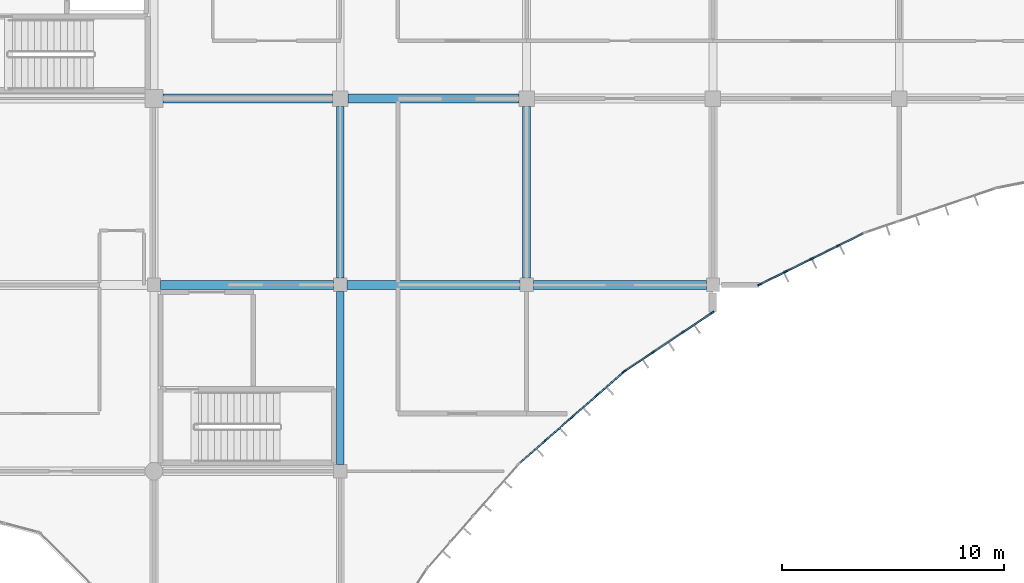
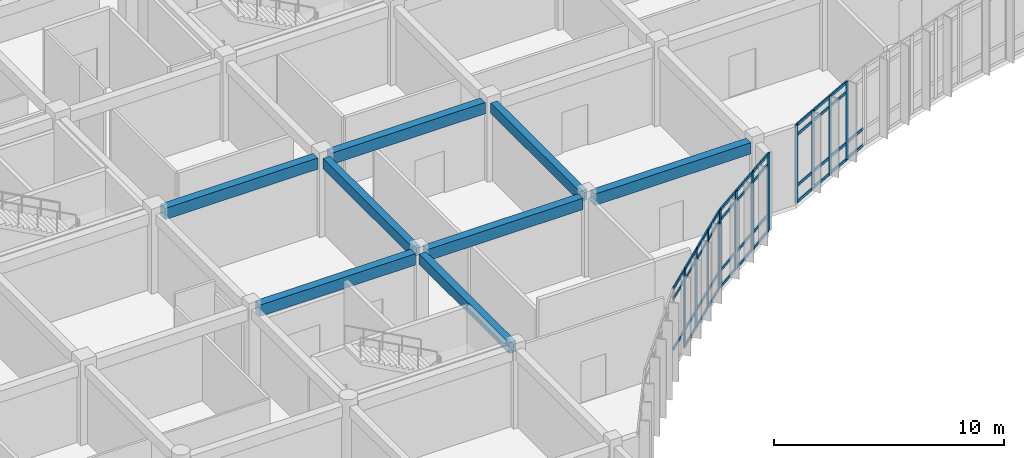
# One storey, part 64 of 144: 53 members, 8 beams, 3 elements without a shape of their own.
"""IFC4 building model written with IfcOpenShell, lengths in metres."""

from ifc_helpers import new_model, si_unit, direction, frame, origin, origin_2d, place, context, subcontext, project, spatial, rectangle, extrude, material, layer, layer_set, material_profile, profile_set, type_object, element, aggregate, save


model = new_model("IFC4")

# Units and contexts
model_context = context("Model", 3, precision=1e-05, world=origin(), true_north=direction((0.0, 1.0)))
body_context = subcontext(model_context, "Body", "Model", "MODEL_VIEW")
ifc_project = project(units=[si_unit("LENGTHUNIT", "METRE"), si_unit("AREAUNIT", "SQUARE_METRE"), si_unit("VOLUMEUNIT", "CUBIC_METRE"), si_unit("PLANEANGLEUNIT", "RADIAN"), si_unit("MASSUNIT", "GRAM", prefix="KILO")], contexts=[model_context])

# Site, building, storey
site_placement = place(None, origin())
site = spatial("IfcSite", under=ifc_project, at=site_placement, CompositionType="ELEMENT")
building_placement = place(site_placement, origin())
building = spatial("IfcBuilding", under=site, at=building_placement, Name="Bramfleet General Hospital", CompositionType="ELEMENT")
storey_placement = place(building_placement, frame((0.0, 0.0, 4.800048828125)))
storey = spatial("IfcBuildingStorey", under=building, at=storey_placement, Name="L01", CompositionType="ELEMENT", Elevation=4.800048828125)

# Beams
ifc_material_1 = material(Name="Concrete C35/45", Category="concrete")
ifc_material_profile_1 = material_profile(ifc_material_1, rectangle(XDim=0.35009765625, YDim=0.550048828125, at=origin_2d()), Name="RC BM 550x350")
ifc_profile_set_1 = profile_set([ifc_material_profile_1], Name="Concrete C35/45")
beam_type_1 = type_object("IfcBeamType", Name="BM-RC550", PredefinedType="BEAM", material=ifc_profile_set_1)
beam_1_placement = place(storey_placement, frame((134.39990234375, 75.89990234375, 3.875), z_axis=(0.0, 1.0, 0.0), x_axis=(-1.0, 0.0, 0.0)))
element("IfcBeam", 1, at=beam_1_placement, inside=storey, type_object=beam_type_1, Name="L01 Grid Beam Y 16-09", PredefinedType="BEAM", context=body_context, shape_type="SweptSolid", body=[
    extrude(rectangle(XDim=0.35009765625, YDim=0.550048828125, at=origin_2d()), origin(), (0.0, 0.0, 1.0), 7.800048828125),
])
for number, where, z_axis, x_axis, name in (
    (2, (134.39990234375, 84.300048828125, 3.875), (0.0, 1.0, 0.0), (-1.0, 0.0, 0.0), "L01 Grid Beam Y 16-10"),
    (3, (142.800048828125, 84.300048828125, 3.875), (0.0, 1.0, 0.0), (-1.0, 0.0, 0.0), "L01 Grid Beam Y 17-10"),
):
    element("IfcBeam", number, at=place(storey_placement, frame(where, z_axis=z_axis, x_axis=x_axis)), inside=storey, type_object=beam_type_1, Name=name, PredefinedType="BEAM", context=body_context, shape_type="SweptSolid", body=[
        extrude(rectangle(XDim=0.35009765625, YDim=0.550048828125, at=origin_2d()), origin(), (0.0, 0.0, 1.0), 7.75),
    ])
ifc_material_profile_2 = material_profile(ifc_material_1, rectangle(XDim=0.39990234375, YDim=0.60009765625, at=origin_2d()), Name="RC BM 600x400")
ifc_profile_set_2 = profile_set([ifc_material_profile_2], Name="Concrete C35/45")
beam_type_2 = type_object("IfcBeamType", Name="BM-RC600", PredefinedType="BEAM", material=ifc_profile_set_2)
beam_2_placement = place(storey_placement, frame((126.300048828125, 84.0, 3.849853515625), z_axis=(1.0, 0.0, 0.0), x_axis=(0.0, 1.0, 0.0)))
element("IfcBeam", 4, at=beam_2_placement, inside=storey, type_object=beam_type_2, Name="L01 Grid Beam X 15-10", PredefinedType="BEAM", context=body_context, shape_type="SweptSolid", body=[
    extrude(rectangle(XDim=0.39990234375, YDim=0.60009765625, at=origin_2d()), origin(), (0.0, 0.0, 1.0), 7.800048828125),
])
beam_3_placement = place(storey_placement, frame((126.39990234375, 92.39990234375, 3.849853515625), z_axis=(1.0, 0.0, 0.0), x_axis=(0.0, 1.0, 0.0)))
element("IfcBeam", 5, at=beam_3_placement, inside=storey, type_object=beam_type_2, Name="L01 Grid Beam X 15-11", PredefinedType="BEAM", context=body_context, shape_type="SweptSolid", body=[
    extrude(rectangle(XDim=0.39990234375, YDim=0.60009765625, at=origin_2d()), origin(), (0.0, 0.0, 1.0), 7.650146484375),
])
beam_4_placement = place(storey_placement, frame((134.699951171875, 84.0, 3.849853515625), z_axis=(1.0, 0.0, 0.0), x_axis=(0.0, 1.0, 0.0)))
element("IfcBeam", 6, at=beam_4_placement, inside=storey, type_object=beam_type_2, Name="L01 Grid Beam X 16-10", PredefinedType="BEAM", context=body_context, shape_type="SweptSolid", body=[
    extrude(rectangle(XDim=0.39990234375, YDim=0.60009765625, at=origin_2d()), origin(), (0.0, 0.0, 1.0), 7.800048828125),
])
beam_5_placement = place(storey_placement, frame((134.75, 92.39990234375, 3.849853515625), z_axis=(1.0, 0.0, 0.0), x_axis=(0.0, 1.0, 0.0)))
element("IfcBeam", 7, at=beam_5_placement, inside=storey, type_object=beam_type_2, Name="L01 Grid Beam X 16-11", PredefinedType="BEAM", context=body_context, shape_type="SweptSolid", body=[
    extrude(rectangle(XDim=0.39990234375, YDim=0.60009765625, at=origin_2d()), origin(), (0.0, 0.0, 1.0), 7.699951171875),
])
beam_6_placement = place(storey_placement, frame((143.10009765625, 84.0, 3.849853515625), z_axis=(1.0, 0.0, 0.0), x_axis=(0.0, 1.0, 0.0)))
element("IfcBeam", 8, at=beam_6_placement, inside=storey, type_object=beam_type_2, Name="L01 Grid Beam X 17-10", PredefinedType="BEAM", context=body_context, shape_type="SweptSolid", body=[
    extrude(rectangle(XDim=0.39990234375, YDim=0.60009765625, at=origin_2d()), origin(), (0.0, 0.0, 1.0), 7.7998046875),
])

# Curtain wall, members
ifc_material_2 = material(Name="Anodised aluminium and low-E triple glazing", Category="aluminium")
ifc_layer_1 = layer(ifc_material_2, 0.179931640625, Name="CWT-CW-18")
ifc_layer_set_1 = layer_set([ifc_layer_1], Name="Anodised aluminium and low-E triple glazing")
curtain_wall_type_1 = type_object("IfcCurtainWallType", Name="CWT-CW-18", PredefinedType="USERDEFINED", material=ifc_layer_set_1)
curtain_wall_1_placement = place(storey_placement, origin())
curtain_wall_1 = element("IfcCurtainWall", 9, at=curtain_wall_1_placement, inside=storey, type_object=curtain_wall_type_1, Name="L01 Curtain Wall 54", ObjectType="Stick curtain wall", PredefinedType="USERDEFINED")
ifc_material_3 = material(Name="Structural timber GL28h", Category="wood")
ifc_material_profile_3 = material_profile(ifc_material_3, rectangle(XDim=0.070068359375, YDim=0.18994140625, at=origin_2d()), Name="LARCH 190x70")
ifc_profile_set_3 = profile_set([ifc_material_profile_3], Name="Structural timber GL28h")
member_type_1 = type_object("IfcMemberType", Name="CWM-LARCH450", PredefinedType="MULLION", material=ifc_profile_set_3)
member_1_placement = place(storey_placement, frame((156.841796875, 85.759521484375, 0.0), z_axis=(0.0, 0.0, 1.0), x_axis=(0.442304948782, -0.896864723513, 0.0)))
member_1 = element("IfcMember", 10, at=member_1_placement, type_object=member_type_1, Name="CW-18 mullion 2", PredefinedType="MULLION", context=body_context, shape_type="SweptSolid", body=[
    extrude(rectangle(XDim=0.070068359375, YDim=0.18994140625, at=origin_2d()), origin(), (0.0, 0.0, 1.0), 4.139892578125),
])
member_2_placement = place(storey_placement, frame((155.652587890625, 85.173095703125, 0.0), z_axis=(0.0, 0.0, 1.0), x_axis=(0.442304948782, -0.896864723513, 0.0)))
member_2 = element("IfcMember", 11, at=member_2_placement, type_object=member_type_1, Name="CW-18 mullion 3", PredefinedType="MULLION", context=body_context, shape_type="SweptSolid", body=[
    extrude(rectangle(XDim=0.070068359375, YDim=0.18994140625, at=origin_2d()), origin(), (0.0, 0.0, 1.0), 4.139892578125),
])
member_3_placement = place(storey_placement, frame((154.463134765625, 84.58642578125, 0.0), z_axis=(0.0, 0.0, 1.0), x_axis=(0.442304948782, -0.896864723513, 0.0)))
member_3 = element("IfcMember", 12, at=member_3_placement, type_object=member_type_1, Name="CW-18 mullion 4", PredefinedType="MULLION", context=body_context, shape_type="SweptSolid", body=[
    extrude(rectangle(XDim=0.070068359375, YDim=0.18994140625, at=origin_2d()), origin(), (0.0, 0.0, 1.0), 4.139892578125),
])
member_4_placement = place(storey_placement, frame((153.305419921875, 84.015380859375, 0.0), z_axis=(0.0, 0.0, 1.0), x_axis=(0.442304948782, -0.896864723513, 0.0)))
member_4 = element("IfcMember", 13, at=member_4_placement, type_object=member_type_1, Name="CW-18 mullion 5", PredefinedType="MULLION", context=body_context, shape_type="SweptSolid", body=[
    extrude(rectangle(XDim=0.070068359375, YDim=0.18994140625, at=origin_2d()), origin(), (0.0, 0.0, 1.0), 4.139892578125),
])

ifc_layer_2 = layer(ifc_material_2, 0.179931640625, Name="CWT-CW-01")
ifc_layer_set_2 = layer_set([ifc_layer_2], Name="Anodised aluminium and low-E triple glazing")
curtain_wall_type_2 = type_object("IfcCurtainWallType", Name="CWT-CW-01", PredefinedType="USERDEFINED", material=ifc_layer_set_2)
curtain_wall_2_placement = place(storey_placement, origin())
curtain_wall_2 = element("IfcCurtainWall", 14, at=curtain_wall_2_placement, inside=storey, type_object=curtain_wall_type_2, Name="L01 Curtain Wall 55", ObjectType="Unitised curtain wall", PredefinedType="USERDEFINED")
member_5_placement = place(storey_placement, frame((151.1708984375, 82.74755859375, 0.0), z_axis=(0.0, 0.0, 1.0), x_axis=(0.555463530135, -0.831540898988, 0.0)))
member_5 = element("IfcMember", 15, at=member_5_placement, type_object=member_type_1, Name="CW-01 mullion 1", PredefinedType="MULLION", context=body_context, shape_type="SweptSolid", body=[
    extrude(rectangle(XDim=0.070068359375, YDim=0.18994140625, at=origin_2d()), origin(), (0.0, 0.0, 1.0), 4.139892578125),
])
member_6_placement = place(storey_placement, frame((149.859619140625, 81.87158203125, 0.0), z_axis=(0.0, 0.0, 1.0), x_axis=(0.555463530135, -0.831540898988, 0.0)))
member_6 = element("IfcMember", 16, at=member_6_placement, type_object=member_type_1, Name="CW-01 mullion 2", PredefinedType="MULLION", context=body_context, shape_type="SweptSolid", body=[
    extrude(rectangle(XDim=0.070068359375, YDim=0.18994140625, at=origin_2d()), origin(), (0.0, 0.0, 1.0), 4.139892578125),
])
member_7_placement = place(storey_placement, frame((148.519287109375, 80.976318359375, 0.0), z_axis=(0.0, 0.0, 1.0), x_axis=(0.555463530135, -0.831540898988, 0.0)))
member_7 = element("IfcMember", 17, at=member_7_placement, type_object=member_type_1, Name="CW-01 mullion 3", PredefinedType="MULLION", context=body_context, shape_type="SweptSolid", body=[
    extrude(rectangle(XDim=0.070068359375, YDim=0.18994140625, at=origin_2d()), origin(), (0.0, 0.0, 1.0), 4.139892578125),
])
member_8_placement = place(storey_placement, frame((147.2080078125, 80.100341796875, 0.0), z_axis=(0.0, 0.0, 1.0), x_axis=(0.555463530135, -0.831540898988, 0.0)))
member_8 = element("IfcMember", 18, at=member_8_placement, type_object=member_type_1, Name="CW-01 mullion 4", PredefinedType="MULLION", context=body_context, shape_type="SweptSolid", body=[
    extrude(rectangle(XDim=0.070068359375, YDim=0.18994140625, at=origin_2d()), origin(), (0.0, 0.0, 1.0), 4.139892578125),
])

ifc_layer_3 = layer(ifc_material_2, 0.179931640625, Name="CWT-CW-02")
ifc_layer_set_3 = layer_set([ifc_layer_3], Name="Anodised aluminium and low-E triple glazing")
curtain_wall_type_3 = type_object("IfcCurtainWallType", Name="CWT-CW-02", PredefinedType="USERDEFINED", material=ifc_layer_set_3)
curtain_wall_3_placement = place(storey_placement, origin())
curtain_wall_3 = element("IfcCurtainWall", 19, at=curtain_wall_3_placement, inside=storey, type_object=curtain_wall_type_3, Name="L01 Curtain Wall 56", ObjectType="Unitised curtain wall", PredefinedType="USERDEFINED")
member_9_placement = place(storey_placement, frame((147.152587890625, 80.057861328125, 0.0), z_axis=(0.0, 0.0, 1.0), x_axis=(0.659406233864, -0.75178681735, 0.0)))
member_9 = element("IfcMember", 20, at=member_9_placement, type_object=member_type_1, Name="CW-02 mullion 1", PredefinedType="MULLION", context=body_context, shape_type="SweptSolid", body=[
    extrude(rectangle(XDim=0.070068359375, YDim=0.18994140625, at=origin_2d()), origin(), (0.0, 0.0, 1.0), 4.139892578125),
])
member_10_placement = place(storey_placement, frame((145.9990234375, 79.0458984375, 0.0), z_axis=(0.0, 0.0, 1.0), x_axis=(0.659406233864, -0.75178681735, 0.0)))
member_10 = element("IfcMember", 21, at=member_10_placement, type_object=member_type_1, Name="CW-02 mullion 2", PredefinedType="MULLION", context=body_context, shape_type="SweptSolid", body=[
    extrude(rectangle(XDim=0.070068359375, YDim=0.18994140625, at=origin_2d()), origin(), (0.0, 0.0, 1.0), 4.139892578125),
])
member_11_placement = place(storey_placement, frame((144.819091796875, 78.010986328125, 0.0), z_axis=(0.0, 0.0, 1.0), x_axis=(0.659406233864, -0.75178681735, 0.0)))
member_11 = element("IfcMember", 22, at=member_11_placement, type_object=member_type_1, Name="CW-02 mullion 3", PredefinedType="MULLION", context=body_context, shape_type="SweptSolid", body=[
    extrude(rectangle(XDim=0.070068359375, YDim=0.18994140625, at=origin_2d()), origin(), (0.0, 0.0, 1.0), 4.139892578125),
])
member_12_placement = place(storey_placement, frame((143.638916015625, 76.97607421875, 0.0), z_axis=(0.0, 0.0, 1.0), x_axis=(0.659406233864, -0.75178681735, 0.0)))
member_12 = element("IfcMember", 23, at=member_12_placement, type_object=member_type_1, Name="CW-02 mullion 4", PredefinedType="MULLION", context=body_context, shape_type="SweptSolid", body=[
    extrude(rectangle(XDim=0.070068359375, YDim=0.18994140625, at=origin_2d()), origin(), (0.0, 0.0, 1.0), 4.139892578125),
])

# Member
ifc_material_profile_4 = material_profile(ifc_material_3, rectangle(XDim=0.06494140625, YDim=0.14990234375, at=origin_2d()), Name="LARCH 150x65")
ifc_profile_set_4 = profile_set([ifc_material_profile_4], Name="Structural timber GL28h")
member_type_2 = type_object("IfcMemberType", Name="CWT-LARCH220", PredefinedType="USERDEFINED", material=ifc_profile_set_4)
member_13_placement = place(storey_placement, frame((157.96826171875, 86.31494140625, 0.032470703125), z_axis=(-0.896892597897, -0.442248423216, 0.0), x_axis=(0.442248423216, -0.896892597897, 0.0)))
member_13 = element("IfcMember", 24, at=member_13_placement, type_object=member_type_2, Name="CW-18 transom 1.1", ObjectType="TRANSOM", PredefinedType="USERDEFINED", context=body_context, shape_type="SweptSolid", body=[
    extrude(rectangle(XDim=0.06494140625, YDim=0.14990234375, at=origin_2d()), origin(), (0.0, 0.0, 1.0), 1.22119140625),
])

member_14_placement = place(storey_placement, frame((157.96826171875, 86.31494140625, 0.89990234375), z_axis=(-0.896892597897, -0.442248423216, 0.0), x_axis=(0.442248423216, -0.896892597897, 0.0)))
member_14 = element("IfcMember", 25, at=member_14_placement, type_object=member_type_2, Name="CW-18 transom 1.2", ObjectType="TRANSOM", PredefinedType="USERDEFINED", context=body_context, shape_type="SweptSolid", body=[
    extrude(rectangle(XDim=0.06494140625, YDim=0.14990234375, at=origin_2d()), origin(), (0.0, 0.0, 1.0), 1.22119140625),
])

member_15_placement = place(storey_placement, frame((156.810302734375, 85.744140625, 0.032470703125), z_axis=(-0.896824392797, -0.44238671825, 0.0), x_axis=(0.44238671825, -0.896824392797, 0.0)))
member_15 = element("IfcMember", 26, at=member_15_placement, type_object=member_type_2, Name="CW-18 transom 2.1", ObjectType="TRANSOM", PredefinedType="USERDEFINED", context=body_context, shape_type="SweptSolid", body=[
    extrude(rectangle(XDim=0.06494140625, YDim=0.14990234375, at=origin_2d()), origin(), (0.0, 0.0, 1.0), 1.256103515625),
])

member_16_placement = place(storey_placement, frame((156.810302734375, 85.744140625, 0.89990234375), z_axis=(-0.896824392797, -0.44238671825, 0.0), x_axis=(0.44238671825, -0.896824392797, 0.0)))
member_16 = element("IfcMember", 27, at=member_16_placement, type_object=member_type_2, Name="CW-18 transom 2.2", ObjectType="TRANSOM", PredefinedType="USERDEFINED", context=body_context, shape_type="SweptSolid", body=[
    extrude(rectangle(XDim=0.06494140625, YDim=0.14990234375, at=origin_2d()), origin(), (0.0, 0.0, 1.0), 1.256103515625),
])

member_17_placement = place(storey_placement, frame((156.810302734375, 85.744140625, 3.58984375), z_axis=(-0.896824392797, -0.44238671825, 0.0), x_axis=(0.44238671825, -0.896824392797, 0.0)))
member_17 = element("IfcMember", 28, at=member_17_placement, type_object=member_type_2, Name="CW-18 transom 2.3", ObjectType="TRANSOM", PredefinedType="USERDEFINED", context=body_context, shape_type="SweptSolid", body=[
    extrude(rectangle(XDim=0.06494140625, YDim=0.14990234375, at=origin_2d()), origin(), (0.0, 0.0, 1.0), 1.256103515625),
])

member_18_placement = place(storey_placement, frame((156.810302734375, 85.744140625, 4.107421875), z_axis=(-0.896824392797, -0.44238671825, 0.0), x_axis=(0.44238671825, -0.896824392797, 0.0)))
member_18 = element("IfcMember", 29, at=member_18_placement, type_object=member_type_2, Name="CW-18 transom 2.4", ObjectType="TRANSOM", PredefinedType="USERDEFINED", context=body_context, shape_type="SweptSolid", body=[
    extrude(rectangle(XDim=0.06494140625, YDim=0.14990234375, at=origin_2d()), origin(), (0.0, 0.0, 1.0), 1.256103515625),
])

member_19_placement = place(storey_placement, frame((155.62109375, 85.157470703125, 0.032470703125), z_axis=(-0.89690150088, -0.442230367252, 0.0), x_axis=(0.442230367252, -0.89690150088, 0.0)))
member_19 = element("IfcMember", 30, at=member_19_placement, type_object=member_type_2, Name="CW-18 transom 3.1", ObjectType="TRANSOM", PredefinedType="USERDEFINED", context=body_context, shape_type="SweptSolid", body=[
    extrude(rectangle(XDim=0.06494140625, YDim=0.14990234375, at=origin_2d()), origin(), (0.0, 0.0, 1.0), 1.255859375),
])

member_20_placement = place(storey_placement, frame((155.62109375, 85.157470703125, 0.89990234375), z_axis=(-0.89690150088, -0.442230367252, 0.0), x_axis=(0.442230367252, -0.89690150088, 0.0)))
member_20 = element("IfcMember", 31, at=member_20_placement, type_object=member_type_2, Name="CW-18 transom 3.2", ObjectType="TRANSOM", PredefinedType="USERDEFINED", context=body_context, shape_type="SweptSolid", body=[
    extrude(rectangle(XDim=0.06494140625, YDim=0.14990234375, at=origin_2d()), origin(), (0.0, 0.0, 1.0), 1.255859375),
])

member_21_placement = place(storey_placement, frame((155.62109375, 85.157470703125, 3.58984375), z_axis=(-0.89690150088, -0.442230367252, 0.0), x_axis=(0.442230367252, -0.89690150088, 0.0)))
member_21 = element("IfcMember", 32, at=member_21_placement, type_object=member_type_2, Name="CW-18 transom 3.3", ObjectType="TRANSOM", PredefinedType="USERDEFINED", context=body_context, shape_type="SweptSolid", body=[
    extrude(rectangle(XDim=0.06494140625, YDim=0.14990234375, at=origin_2d()), origin(), (0.0, 0.0, 1.0), 1.255859375),
])

member_22_placement = place(storey_placement, frame((155.62109375, 85.157470703125, 4.107421875), z_axis=(-0.89690150088, -0.442230367252, 0.0), x_axis=(0.442230367252, -0.89690150088, 0.0)))
member_22 = element("IfcMember", 33, at=member_22_placement, type_object=member_type_2, Name="CW-18 transom 3.4", ObjectType="TRANSOM", PredefinedType="USERDEFINED", context=body_context, shape_type="SweptSolid", body=[
    extrude(rectangle(XDim=0.06494140625, YDim=0.14990234375, at=origin_2d()), origin(), (0.0, 0.0, 1.0), 1.255859375),
])

member_23_placement = place(storey_placement, frame((154.431884765625, 84.571044921875, 0.032470703125), z_axis=(-0.896892597897, -0.442248423216, 0.0), x_axis=(0.442248423216, -0.896892597897, 0.0)))
member_23 = element("IfcMember", 34, at=member_23_placement, type_object=member_type_2, Name="CW-18 transom 4.1", ObjectType="TRANSOM", PredefinedType="USERDEFINED", context=body_context, shape_type="SweptSolid", body=[
    extrude(rectangle(XDim=0.06494140625, YDim=0.14990234375, at=origin_2d()), origin(), (0.0, 0.0, 1.0), 1.22119140625),
])

member_24_placement = place(storey_placement, frame((154.431884765625, 84.571044921875, 0.89990234375), z_axis=(-0.896892597897, -0.442248423216, 0.0), x_axis=(0.442248423216, -0.896892597897, 0.0)))
member_24 = element("IfcMember", 35, at=member_24_placement, type_object=member_type_2, Name="CW-18 transom 4.2", ObjectType="TRANSOM", PredefinedType="USERDEFINED", context=body_context, shape_type="SweptSolid", body=[
    extrude(rectangle(XDim=0.06494140625, YDim=0.14990234375, at=origin_2d()), origin(), (0.0, 0.0, 1.0), 1.22119140625),
])

member_25_placement = place(storey_placement, frame((154.431884765625, 84.571044921875, 3.58984375), z_axis=(-0.896892597897, -0.442248423216, 0.0), x_axis=(0.442248423216, -0.896892597897, 0.0)))
member_25 = element("IfcMember", 36, at=member_25_placement, type_object=member_type_2, Name="CW-18 transom 4.3", ObjectType="TRANSOM", PredefinedType="USERDEFINED", context=body_context, shape_type="SweptSolid", body=[
    extrude(rectangle(XDim=0.06494140625, YDim=0.14990234375, at=origin_2d()), origin(), (0.0, 0.0, 1.0), 1.22119140625),
])

member_26_placement = place(storey_placement, frame((154.431884765625, 84.571044921875, 4.107421875), z_axis=(-0.896892597897, -0.442248423216, 0.0), x_axis=(0.442248423216, -0.896892597897, 0.0)))
member_26 = element("IfcMember", 37, at=member_26_placement, type_object=member_type_2, Name="CW-18 transom 4.4", ObjectType="TRANSOM", PredefinedType="USERDEFINED", context=body_context, shape_type="SweptSolid", body=[
    extrude(rectangle(XDim=0.06494140625, YDim=0.14990234375, at=origin_2d()), origin(), (0.0, 0.0, 1.0), 1.22119140625),
])

aggregate(curtain_wall_1, [member_1, member_2, member_3, member_4, member_13, member_14, member_15, member_16, member_17, member_18, member_19, member_20, member_21, member_22, member_23, member_24, member_25, member_26])

member_27_placement = place(storey_placement, frame((151.141845703125, 82.72802734375, 0.032470703125), z_axis=(-0.831601376927, -0.555372982682, 0.0), x_axis=(0.555372982682, -0.831601376927, 0.0)))
member_27 = element("IfcMember", 38, at=member_27_placement, type_object=member_type_2, Name="CW-01 transom 1.1", ObjectType="TRANSOM", PredefinedType="USERDEFINED", context=body_context, shape_type="SweptSolid", body=[
    extrude(rectangle(XDim=0.06494140625, YDim=0.14990234375, at=origin_2d()), origin(), (0.0, 0.0, 1.0), 1.5068359375),
])

member_28_placement = place(storey_placement, frame((151.141845703125, 82.72802734375, 0.89990234375), z_axis=(-0.831601376927, -0.555372982682, 0.0), x_axis=(0.555372982682, -0.831601376927, 0.0)))
member_28 = element("IfcMember", 39, at=member_28_placement, type_object=member_type_2, Name="CW-01 transom 1.2", ObjectType="TRANSOM", PredefinedType="USERDEFINED", context=body_context, shape_type="SweptSolid", body=[
    extrude(rectangle(XDim=0.06494140625, YDim=0.14990234375, at=origin_2d()), origin(), (0.0, 0.0, 1.0), 1.5068359375),
])

member_29_placement = place(storey_placement, frame((151.141845703125, 82.72802734375, 3.58984375), z_axis=(-0.831601376927, -0.555372982682, 0.0), x_axis=(0.555372982682, -0.831601376927, 0.0)))
member_29 = element("IfcMember", 40, at=member_29_placement, type_object=member_type_2, Name="CW-01 transom 1.3", ObjectType="TRANSOM", PredefinedType="USERDEFINED", context=body_context, shape_type="SweptSolid", body=[
    extrude(rectangle(XDim=0.06494140625, YDim=0.14990234375, at=origin_2d()), origin(), (0.0, 0.0, 1.0), 1.5068359375),
])

member_30_placement = place(storey_placement, frame((151.141845703125, 82.72802734375, 4.107421875), z_axis=(-0.831601376927, -0.555372982682, 0.0), x_axis=(0.555372982682, -0.831601376927, 0.0)))
member_30 = element("IfcMember", 41, at=member_30_placement, type_object=member_type_2, Name="CW-01 transom 1.4", ObjectType="TRANSOM", PredefinedType="USERDEFINED", context=body_context, shape_type="SweptSolid", body=[
    extrude(rectangle(XDim=0.06494140625, YDim=0.14990234375, at=origin_2d()), origin(), (0.0, 0.0, 1.0), 1.5068359375),
])

member_31_placement = place(storey_placement, frame((149.83056640625, 81.852294921875, 0.032470703125), z_axis=(-0.831562796213, -0.555430748118, 0.0), x_axis=(0.555430748118, -0.831562796213, 0.0)))
member_31 = element("IfcMember", 42, at=member_31_placement, type_object=member_type_2, Name="CW-01 transom 2.1", ObjectType="TRANSOM", PredefinedType="USERDEFINED", context=body_context, shape_type="SweptSolid", body=[
    extrude(rectangle(XDim=0.06494140625, YDim=0.14990234375, at=origin_2d()), origin(), (0.0, 0.0, 1.0), 1.5419921875),
])

member_32_placement = place(storey_placement, frame((149.83056640625, 81.852294921875, 0.89990234375), z_axis=(-0.831562796213, -0.555430748118, 0.0), x_axis=(0.555430748118, -0.831562796213, 0.0)))
member_32 = element("IfcMember", 43, at=member_32_placement, type_object=member_type_2, Name="CW-01 transom 2.2", ObjectType="TRANSOM", PredefinedType="USERDEFINED", context=body_context, shape_type="SweptSolid", body=[
    extrude(rectangle(XDim=0.06494140625, YDim=0.14990234375, at=origin_2d()), origin(), (0.0, 0.0, 1.0), 1.5419921875),
])

member_33_placement = place(storey_placement, frame((149.83056640625, 81.852294921875, 3.58984375), z_axis=(-0.831562796213, -0.555430748118, 0.0), x_axis=(0.555430748118, -0.831562796213, 0.0)))
member_33 = element("IfcMember", 44, at=member_33_placement, type_object=member_type_2, Name="CW-01 transom 2.3", ObjectType="TRANSOM", PredefinedType="USERDEFINED", context=body_context, shape_type="SweptSolid", body=[
    extrude(rectangle(XDim=0.06494140625, YDim=0.14990234375, at=origin_2d()), origin(), (0.0, 0.0, 1.0), 1.5419921875),
])

member_34_placement = place(storey_placement, frame((149.83056640625, 81.852294921875, 4.107421875), z_axis=(-0.831562796213, -0.555430748118, 0.0), x_axis=(0.555430748118, -0.831562796213, 0.0)))
member_34 = element("IfcMember", 45, at=member_34_placement, type_object=member_type_2, Name="CW-01 transom 2.4", ObjectType="TRANSOM", PredefinedType="USERDEFINED", context=body_context, shape_type="SweptSolid", body=[
    extrude(rectangle(XDim=0.06494140625, YDim=0.14990234375, at=origin_2d()), origin(), (0.0, 0.0, 1.0), 1.5419921875),
])

member_35_placement = place(storey_placement, frame((148.490234375, 80.956787109375, 0.032470703125), z_axis=(-0.831551396357, -0.555447815026, 0.0), x_axis=(0.555447815026, -0.831551396357, 0.0)))
member_35 = element("IfcMember", 46, at=member_35_placement, type_object=member_type_2, Name="CW-01 transom 3.1", ObjectType="TRANSOM", PredefinedType="USERDEFINED", context=body_context, shape_type="SweptSolid", body=[
    extrude(rectangle(XDim=0.06494140625, YDim=0.14990234375, at=origin_2d()), origin(), (0.0, 0.0, 1.0), 1.5068359375),
])

member_36_placement = place(storey_placement, frame((148.490234375, 80.956787109375, 0.89990234375), z_axis=(-0.831551396357, -0.555447815026, 0.0), x_axis=(0.555447815026, -0.831551396357, 0.0)))
member_36 = element("IfcMember", 47, at=member_36_placement, type_object=member_type_2, Name="CW-01 transom 3.2", ObjectType="TRANSOM", PredefinedType="USERDEFINED", context=body_context, shape_type="SweptSolid", body=[
    extrude(rectangle(XDim=0.06494140625, YDim=0.14990234375, at=origin_2d()), origin(), (0.0, 0.0, 1.0), 1.5068359375),
])

member_37_placement = place(storey_placement, frame((148.490234375, 80.956787109375, 3.58984375), z_axis=(-0.831551396357, -0.555447815026, 0.0), x_axis=(0.555447815026, -0.831551396357, 0.0)))
member_37 = element("IfcMember", 48, at=member_37_placement, type_object=member_type_2, Name="CW-01 transom 3.3", ObjectType="TRANSOM", PredefinedType="USERDEFINED", context=body_context, shape_type="SweptSolid", body=[
    extrude(rectangle(XDim=0.06494140625, YDim=0.14990234375, at=origin_2d()), origin(), (0.0, 0.0, 1.0), 1.5068359375),
])

member_38_placement = place(storey_placement, frame((148.490234375, 80.956787109375, 4.107421875), z_axis=(-0.831551396357, -0.555447815026, 0.0), x_axis=(0.555447815026, -0.831551396357, 0.0)))
member_38 = element("IfcMember", 49, at=member_38_placement, type_object=member_type_2, Name="CW-01 transom 3.4", ObjectType="TRANSOM", PredefinedType="USERDEFINED", context=body_context, shape_type="SweptSolid", body=[
    extrude(rectangle(XDim=0.06494140625, YDim=0.14990234375, at=origin_2d()), origin(), (0.0, 0.0, 1.0), 1.5068359375),
])

aggregate(curtain_wall_2, [member_5, member_6, member_7, member_8, member_27, member_28, member_29, member_30, member_31, member_32, member_33, member_34, member_35, member_36, member_37, member_38])

member_39_placement = place(storey_placement, frame((147.12646484375, 80.034912109375, 0.032470703125), z_axis=(-0.75177071058, -0.659424596686, 0.0), x_axis=(0.659424596686, -0.75177071058, 0.0)))
member_39 = element("IfcMember", 50, at=member_39_placement, type_object=member_type_2, Name="CW-02 transom 1.1", ObjectType="TRANSOM", PredefinedType="USERDEFINED", context=body_context, shape_type="SweptSolid", body=[
    extrude(rectangle(XDim=0.06494140625, YDim=0.14990234375, at=origin_2d()), origin(), (0.0, 0.0, 1.0), 1.464599609375),
])

member_40_placement = place(storey_placement, frame((147.12646484375, 80.034912109375, 0.89990234375), z_axis=(-0.75177071058, -0.659424596686, 0.0), x_axis=(0.659424596686, -0.75177071058, 0.0)))
member_40 = element("IfcMember", 51, at=member_40_placement, type_object=member_type_2, Name="CW-02 transom 1.2", ObjectType="TRANSOM", PredefinedType="USERDEFINED", context=body_context, shape_type="SweptSolid", body=[
    extrude(rectangle(XDim=0.06494140625, YDim=0.14990234375, at=origin_2d()), origin(), (0.0, 0.0, 1.0), 1.464599609375),
])

member_41_placement = place(storey_placement, frame((147.12646484375, 80.034912109375, 3.58984375), z_axis=(-0.75177071058, -0.659424596686, 0.0), x_axis=(0.659424596686, -0.75177071058, 0.0)))
member_41 = element("IfcMember", 52, at=member_41_placement, type_object=member_type_2, Name="CW-02 transom 1.3", ObjectType="TRANSOM", PredefinedType="USERDEFINED", context=body_context, shape_type="SweptSolid", body=[
    extrude(rectangle(XDim=0.06494140625, YDim=0.14990234375, at=origin_2d()), origin(), (0.0, 0.0, 1.0), 1.464599609375),
])

member_42_placement = place(storey_placement, frame((147.12646484375, 80.034912109375, 4.107421875), z_axis=(-0.75177071058, -0.659424596686, 0.0), x_axis=(0.659424596686, -0.75177071058, 0.0)))
member_42 = element("IfcMember", 53, at=member_42_placement, type_object=member_type_2, Name="CW-02 transom 1.4", ObjectType="TRANSOM", PredefinedType="USERDEFINED", context=body_context, shape_type="SweptSolid", body=[
    extrude(rectangle(XDim=0.06494140625, YDim=0.14990234375, at=origin_2d()), origin(), (0.0, 0.0, 1.0), 1.464599609375),
])

member_43_placement = place(storey_placement, frame((145.97265625, 79.02294921875, 0.032470703125), z_axis=(-0.751829905296, -0.659357106204, 0.0), x_axis=(0.659357106204, -0.751829905296, 0.0)))
member_43 = element("IfcMember", 54, at=member_43_placement, type_object=member_type_2, Name="CW-02 transom 2.1", ObjectType="TRANSOM", PredefinedType="USERDEFINED", context=body_context, shape_type="SweptSolid", body=[
    extrude(rectangle(XDim=0.06494140625, YDim=0.14990234375, at=origin_2d()), origin(), (0.0, 0.0, 1.0), 1.49951171875),
])

member_44_placement = place(storey_placement, frame((145.97265625, 79.02294921875, 0.89990234375), z_axis=(-0.751829905296, -0.659357106204, 0.0), x_axis=(0.659357106204, -0.751829905296, 0.0)))
member_44 = element("IfcMember", 55, at=member_44_placement, type_object=member_type_2, Name="CW-02 transom 2.2", ObjectType="TRANSOM", PredefinedType="USERDEFINED", context=body_context, shape_type="SweptSolid", body=[
    extrude(rectangle(XDim=0.06494140625, YDim=0.14990234375, at=origin_2d()), origin(), (0.0, 0.0, 1.0), 1.49951171875),
])

member_45_placement = place(storey_placement, frame((145.97265625, 79.02294921875, 3.58984375), z_axis=(-0.751829905296, -0.659357106204, 0.0), x_axis=(0.659357106204, -0.751829905296, 0.0)))
member_45 = element("IfcMember", 56, at=member_45_placement, type_object=member_type_2, Name="CW-02 transom 2.3", ObjectType="TRANSOM", PredefinedType="USERDEFINED", context=body_context, shape_type="SweptSolid", body=[
    extrude(rectangle(XDim=0.06494140625, YDim=0.14990234375, at=origin_2d()), origin(), (0.0, 0.0, 1.0), 1.49951171875),
])

member_46_placement = place(storey_placement, frame((145.97265625, 79.02294921875, 4.107421875), z_axis=(-0.751829905296, -0.659357106204, 0.0), x_axis=(0.659357106204, -0.751829905296, 0.0)))
member_46 = element("IfcMember", 57, at=member_46_placement, type_object=member_type_2, Name="CW-02 transom 2.4", ObjectType="TRANSOM", PredefinedType="USERDEFINED", context=body_context, shape_type="SweptSolid", body=[
    extrude(rectangle(XDim=0.06494140625, YDim=0.14990234375, at=origin_2d()), origin(), (0.0, 0.0, 1.0), 1.49951171875),
])

member_47_placement = place(storey_placement, frame((144.792724609375, 77.988037109375, 0.032470703125), z_axis=(-0.751749202304, -0.659449116183, 0.0), x_axis=(0.659449116183, -0.751749202304, 0.0)))
member_47 = element("IfcMember", 58, at=member_47_placement, type_object=member_type_2, Name="CW-02 transom 3.1", ObjectType="TRANSOM", PredefinedType="USERDEFINED", context=body_context, shape_type="SweptSolid", body=[
    extrude(rectangle(XDim=0.06494140625, YDim=0.14990234375, at=origin_2d()), origin(), (0.0, 0.0, 1.0), 1.499755859375),
])

member_48_placement = place(storey_placement, frame((144.792724609375, 77.988037109375, 0.89990234375), z_axis=(-0.751749202304, -0.659449116183, 0.0), x_axis=(0.659449116183, -0.751749202304, 0.0)))
member_48 = element("IfcMember", 59, at=member_48_placement, type_object=member_type_2, Name="CW-02 transom 3.2", ObjectType="TRANSOM", PredefinedType="USERDEFINED", context=body_context, shape_type="SweptSolid", body=[
    extrude(rectangle(XDim=0.06494140625, YDim=0.14990234375, at=origin_2d()), origin(), (0.0, 0.0, 1.0), 1.499755859375),
])

member_49_placement = place(storey_placement, frame((144.792724609375, 77.988037109375, 3.58984375), z_axis=(-0.751749202304, -0.659449116183, 0.0), x_axis=(0.659449116183, -0.751749202304, 0.0)))
member_49 = element("IfcMember", 60, at=member_49_placement, type_object=member_type_2, Name="CW-02 transom 3.3", ObjectType="TRANSOM", PredefinedType="USERDEFINED", context=body_context, shape_type="SweptSolid", body=[
    extrude(rectangle(XDim=0.06494140625, YDim=0.14990234375, at=origin_2d()), origin(), (0.0, 0.0, 1.0), 1.499755859375),
])

member_50_placement = place(storey_placement, frame((144.792724609375, 77.988037109375, 4.107421875), z_axis=(-0.751749202304, -0.659449116183, 0.0), x_axis=(0.659449116183, -0.751749202304, 0.0)))
member_50 = element("IfcMember", 61, at=member_50_placement, type_object=member_type_2, Name="CW-02 transom 3.4", ObjectType="TRANSOM", PredefinedType="USERDEFINED", context=body_context, shape_type="SweptSolid", body=[
    extrude(rectangle(XDim=0.06494140625, YDim=0.14990234375, at=origin_2d()), origin(), (0.0, 0.0, 1.0), 1.499755859375),
])

member_51_placement = place(storey_placement, frame((143.61279296875, 76.952880859375, 0.89990234375), z_axis=(-0.75177071058, -0.659424596686, 0.0), x_axis=(0.659424596686, -0.75177071058, 0.0)))
member_51 = element("IfcMember", 62, at=member_51_placement, type_object=member_type_2, Name="CW-02 transom 4.2", ObjectType="TRANSOM", PredefinedType="USERDEFINED", context=body_context, shape_type="SweptSolid", body=[
    extrude(rectangle(XDim=0.06494140625, YDim=0.14990234375, at=origin_2d()), origin(), (0.0, 0.0, 1.0), 1.464599609375),
])

member_52_placement = place(storey_placement, frame((143.61279296875, 76.952880859375, 3.58984375), z_axis=(-0.75177071058, -0.659424596686, 0.0), x_axis=(0.659424596686, -0.75177071058, 0.0)))
member_52 = element("IfcMember", 63, at=member_52_placement, type_object=member_type_2, Name="CW-02 transom 4.3", ObjectType="TRANSOM", PredefinedType="USERDEFINED", context=body_context, shape_type="SweptSolid", body=[
    extrude(rectangle(XDim=0.06494140625, YDim=0.14990234375, at=origin_2d()), origin(), (0.0, 0.0, 1.0), 1.464599609375),
])

member_53_placement = place(storey_placement, frame((143.61279296875, 76.952880859375, 4.107421875), z_axis=(-0.75177071058, -0.659424596686, 0.0), x_axis=(0.659424596686, -0.75177071058, 0.0)))
member_53 = element("IfcMember", 64, at=member_53_placement, type_object=member_type_2, Name="CW-02 transom 4.4", ObjectType="TRANSOM", PredefinedType="USERDEFINED", context=body_context, shape_type="SweptSolid", body=[
    extrude(rectangle(XDim=0.06494140625, YDim=0.14990234375, at=origin_2d()), origin(), (0.0, 0.0, 1.0), 1.464599609375),
])

aggregate(curtain_wall_3, [member_9, member_10, member_11, member_12, member_39, member_40, member_41, member_42, member_43, member_44, member_45, member_46, member_47, member_48, member_49, member_50, member_51, member_52, member_53])

save(model, "model.ifc")
